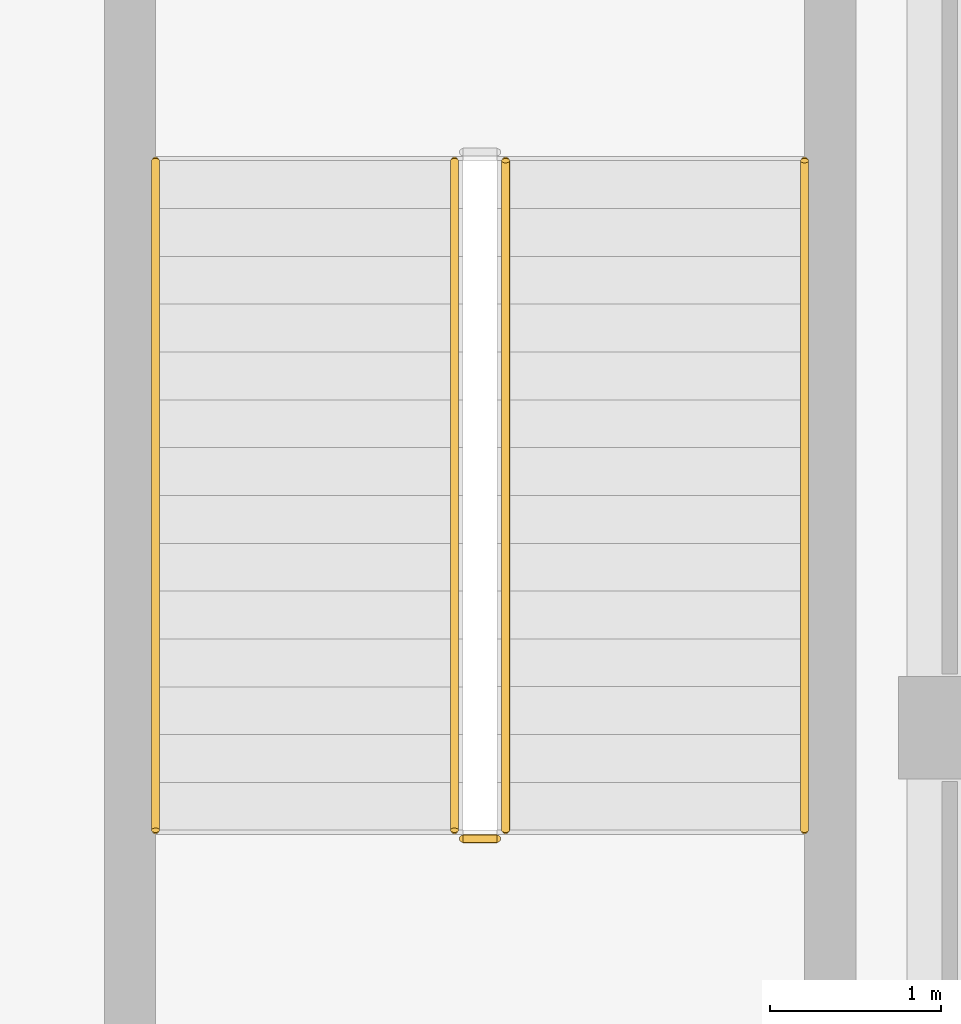
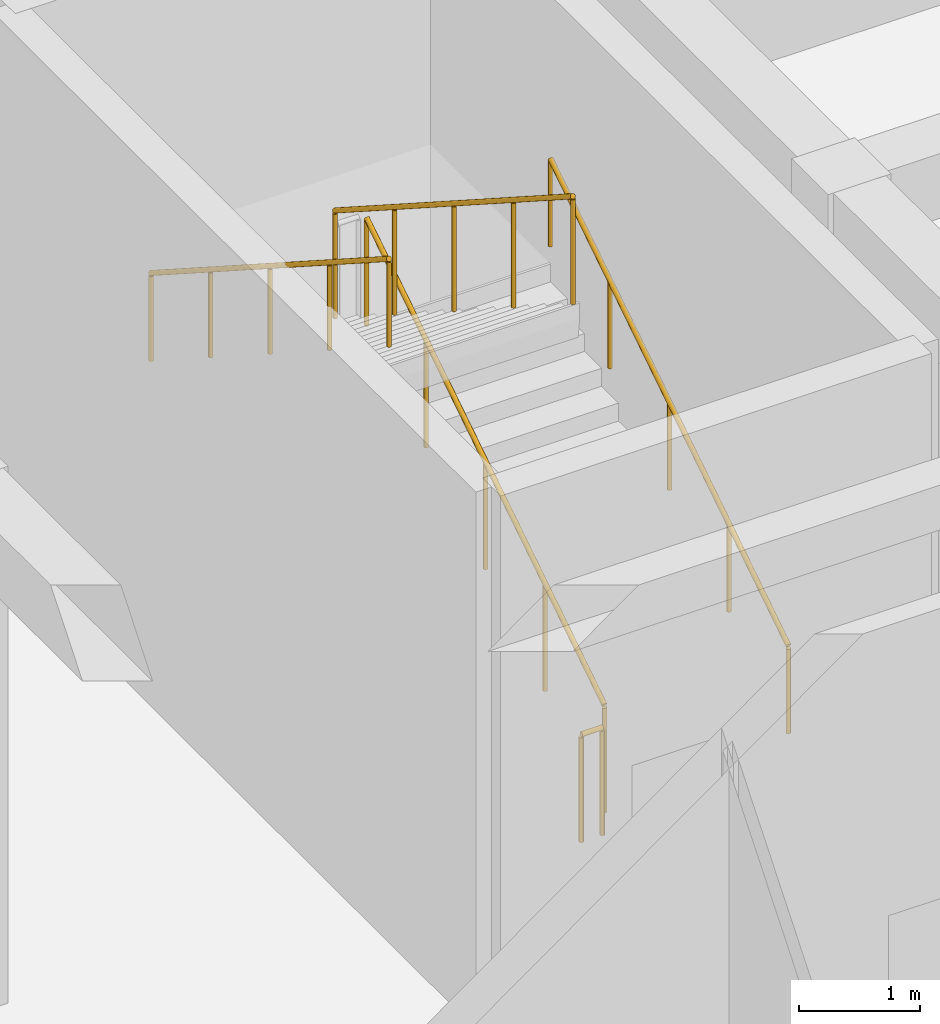
# One storey, part 80 of 89: 5 railings.
"""IFC4 building model written with IfcOpenShell, lengths in metres."""

from ifc_helpers import new_model, si_unit, direction, frame, origin, origin_2d, place, context, subcontext, project, spatial, circle, extrude, material, type_object, element, save


model = new_model("IFC4")

# Units and contexts
model_context = context("Model", 3, precision=1e-05, world=origin(), true_north=direction((0.0, 1.0)))
body_context = subcontext(model_context, "Body", "Model", "MODEL_VIEW")
ifc_project = project(units=[si_unit("LENGTHUNIT", "METRE"), si_unit("AREAUNIT", "SQUARE_METRE"), si_unit("VOLUMEUNIT", "CUBIC_METRE"), si_unit("PLANEANGLEUNIT", "RADIAN"), si_unit("MASSUNIT", "GRAM", prefix="KILO")], contexts=[model_context])

# Site, building, storey
site_placement = place(None, origin())
site = spatial("IfcSite", under=ifc_project, at=site_placement, CompositionType="ELEMENT")
building_placement = place(site_placement, origin())
building = spatial("IfcBuilding", under=site, at=building_placement, Name="Varncliffe General Hospital", CompositionType="ELEMENT")
storey_placement = place(building_placement, frame((0.0, 0.0, 10.800048828125)))
storey = spatial("IfcBuildingStorey", under=building, at=storey_placement, Name="L02", CompositionType="ELEMENT", Elevation=10.800048828125)

# Railings
ifc_material = material(Name="Powder-coated hospital steel guardrail and handrail", Category="steel")
railing_type_1 = type_object("IfcRailingType", Name="Stair and Ramp Handrail HR46", PredefinedType="HANDRAIL", material=ifc_material)
railing_1_placement = place(storey_placement, frame((116.75, 90.60009765625, 0.364013671875)))
element("IfcRailing", 1, at=railing_1_placement, inside=storey, type_object=railing_type_1, Name="L02 ST06 stair handrail 1", PredefinedType="HANDRAIL", context=body_context, shape_type="SweptSolid", body=[
    extrude(circle(Radius=0.02392578125, at=origin_2d()), frame((0.0, 0.0, 0.8759765625), z_axis=(0.0, 0.841171666519, 0.540768182723), x_axis=(-1.0, 0.0, 0.0)), (0.0, 0.0, 1.0), 4.66015625),
    extrude(circle(Radius=0.02099609375, at=origin_2d()), origin(), (0.0, 0.0, 1.0), 0.851806640625),
    extrude(circle(Radius=0.02099609375, at=origin_2d()), frame((0.0, 0.97998046875, 0.6298828125)), (0.0, 0.0, 1.0), 0.851806640625),
    extrude(circle(Radius=0.02099609375, at=origin_2d()), frame((0.0, 1.9599609375, 1.260009765625)), (0.0, 0.0, 1.0), 0.851806640625),
    extrude(circle(Radius=0.02099609375, at=origin_2d()), frame((0.0, 2.93994140625, 1.89013671875)), (0.0, 0.0, 1.0), 0.851806640625),
    extrude(circle(Radius=0.02099609375, at=origin_2d()), frame((0.0, 3.919921875, 2.52001953125)), (0.0, 0.0, 1.0), 0.851806640625),
])
railing_2_placement = place(storey_placement, frame((112.949951171875, 94.52001953125, 3.06396484375)))
element("IfcRailing", 2, at=railing_2_placement, inside=storey, type_object=railing_type_1, Name="L02 ST06 stair handrail 2", PredefinedType="HANDRAIL", context=body_context, shape_type="SweptSolid", body=[
    extrude(circle(Radius=0.02392578125, at=origin_2d()), frame((0.0, 0.0, 0.8759765625), z_axis=(0.0, -0.841171666519, 0.540768182723), x_axis=(1.0, 0.0, 0.0)), (0.0, 0.0, 1.0), 4.66015625),
    extrude(circle(Radius=0.02099609375, at=origin_2d()), origin(), (0.0, 0.0, 1.0), 0.851806640625),
    extrude(circle(Radius=0.02099609375, at=origin_2d()), frame((0.0, -0.97998046875, 0.6298828125)), (0.0, 0.0, 1.0), 0.851806640625),
    extrude(circle(Radius=0.02099609375, at=origin_2d()), frame((0.0, -1.9599609375, 1.260009765625)), (0.0, 0.0, 1.0), 0.851806640625),
    extrude(circle(Radius=0.02099609375, at=origin_2d()), frame((0.0, -2.93994140625, 1.89013671875)), (0.0, 0.0, 1.0), 0.851806640625),
    extrude(circle(Radius=0.02099609375, at=origin_2d()), frame((0.0, -3.919921875, 2.52001953125)), (0.0, 0.0, 1.0), 0.851806640625),
])
railing_type_2 = type_object("IfcRailingType", Name="Stairwell Guardrail SG49", PredefinedType="GUARDRAIL", material=ifc_material)
railing_3_placement = place(storey_placement, frame((115.0, 90.60009765625, 0.179931640625)))
element("IfcRailing", 3, at=railing_3_placement, inside=storey, type_object=railing_type_2, Name="L02 ST06 stair guard 1", PredefinedType="GUARDRAIL", context=body_context, shape_type="SweptSolid", body=[
    extrude(circle(Radius=0.02392578125, at=origin_2d()), frame((0.0, 0.0, 1.076171875), z_axis=(0.0, 0.841171666519, 0.540768182723), x_axis=(-1.0, 0.0, 0.0)), (0.0, 0.0, 1.0), 4.66015625),
    extrude(circle(Radius=0.02099609375, at=origin_2d()), origin(), (0.0, 0.0, 1.0), 1.052001953125),
    extrude(circle(Radius=0.02099609375, at=origin_2d()), frame((0.0, 0.97998046875, 0.6298828125)), (0.0, 0.0, 1.0), 1.052001953125),
    extrude(circle(Radius=0.02099609375, at=origin_2d()), frame((0.0, 1.9599609375, 1.260009765625)), (0.0, 0.0, 1.0), 1.052001953125),
    extrude(circle(Radius=0.02099609375, at=origin_2d()), frame((0.0, 2.93994140625, 1.89013671875)), (0.0, 0.0, 1.0), 1.052001953125),
    extrude(circle(Radius=0.02099609375, at=origin_2d()), frame((0.0, 3.919921875, 2.52001953125)), (0.0, 0.0, 1.0), 1.052001953125),
])
railing_4_placement = place(storey_placement, frame((114.699951171875, 94.52001953125, 2.8798828125)))
element("IfcRailing", 4, at=railing_4_placement, inside=storey, type_object=railing_type_2, Name="L02 ST06 stair guard 3", PredefinedType="GUARDRAIL", context=body_context, shape_type="SweptSolid", body=[
    extrude(circle(Radius=0.02392578125, at=origin_2d()), frame((0.0, 0.0, 1.076171875), z_axis=(0.0, -0.841171666519, 0.540768182723), x_axis=(1.0, 0.0, 0.0)), (0.0, 0.0, 1.0), 4.66015625),
    extrude(circle(Radius=0.02099609375, at=origin_2d()), origin(), (0.0, 0.0, 1.0), 1.052001953125),
    extrude(circle(Radius=0.02099609375, at=origin_2d()), frame((0.0, -0.97998046875, 0.6298828125)), (0.0, 0.0, 1.0), 1.052001953125),
    extrude(circle(Radius=0.02099609375, at=origin_2d()), frame((0.0, -1.9599609375, 1.260009765625)), (0.0, 0.0, 1.0), 1.052001953125),
    extrude(circle(Radius=0.02099609375, at=origin_2d()), frame((0.0, -2.93994140625, 1.89013671875)), (0.0, 0.0, 1.0), 1.052001953125),
    extrude(circle(Radius=0.02099609375, at=origin_2d()), frame((0.0, -3.919921875, 2.52001953125)), (0.0, 0.0, 1.0), 1.052001953125),
])
railing_5_placement = place(storey_placement, frame((114.949951171875, 90.550048828125, 0.0)))
element("IfcRailing", 5, at=railing_5_placement, inside=storey, type_object=railing_type_2, Name="L02 ST06 stair guard 4", PredefinedType="GUARDRAIL", context=body_context, shape_type="SweptSolid", body=[
    extrude(circle(Radius=0.02392578125, at=origin_2d()), frame((0.0, 0.0, 1.076171875), z_axis=(-1.0, 0.0, 0.0), x_axis=(0.0, -1.0, 0.0)), (0.0, 0.0, 1.0), 0.199951171875),
    extrude(circle(Radius=0.02099609375, at=origin_2d()), origin(), (0.0, 0.0, 1.0), 1.052001953125),
    extrude(circle(Radius=0.02099609375, at=origin_2d()), frame((-0.199951171875, 0.0, 0.0)), (0.0, 0.0, 1.0), 1.052001953125),
])

save(model, "model.ifc")
